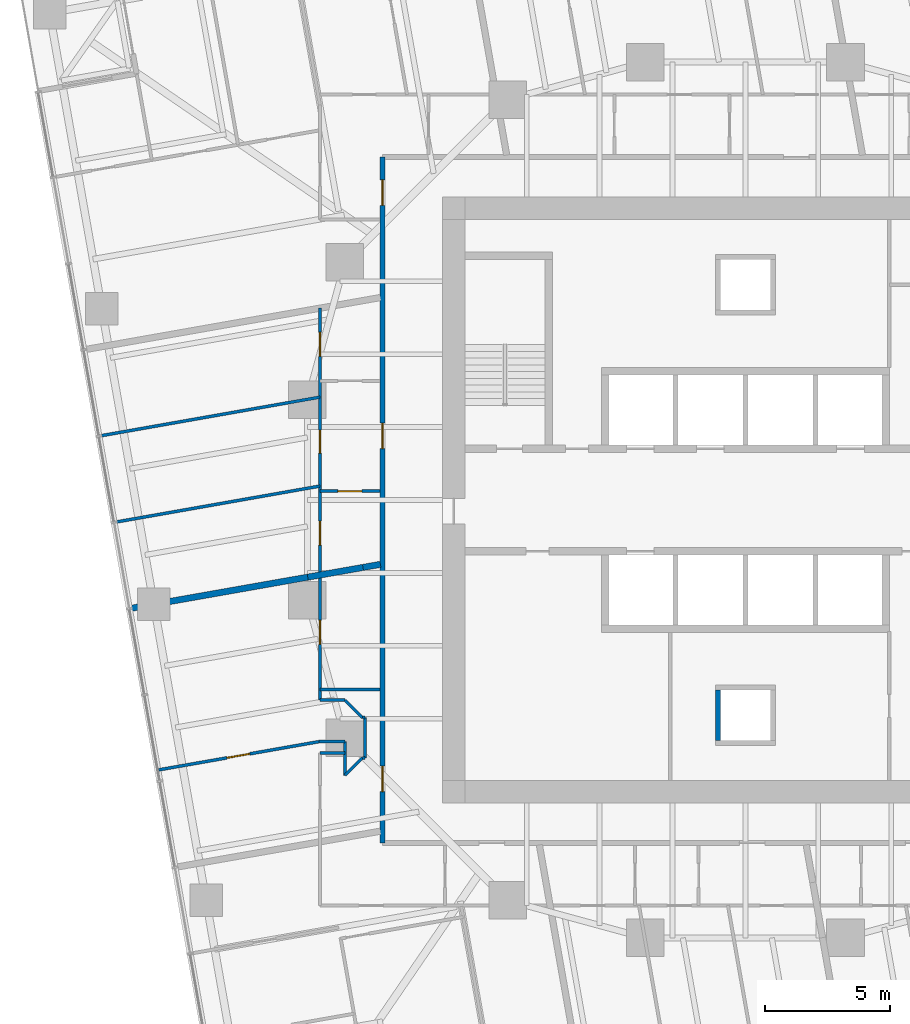
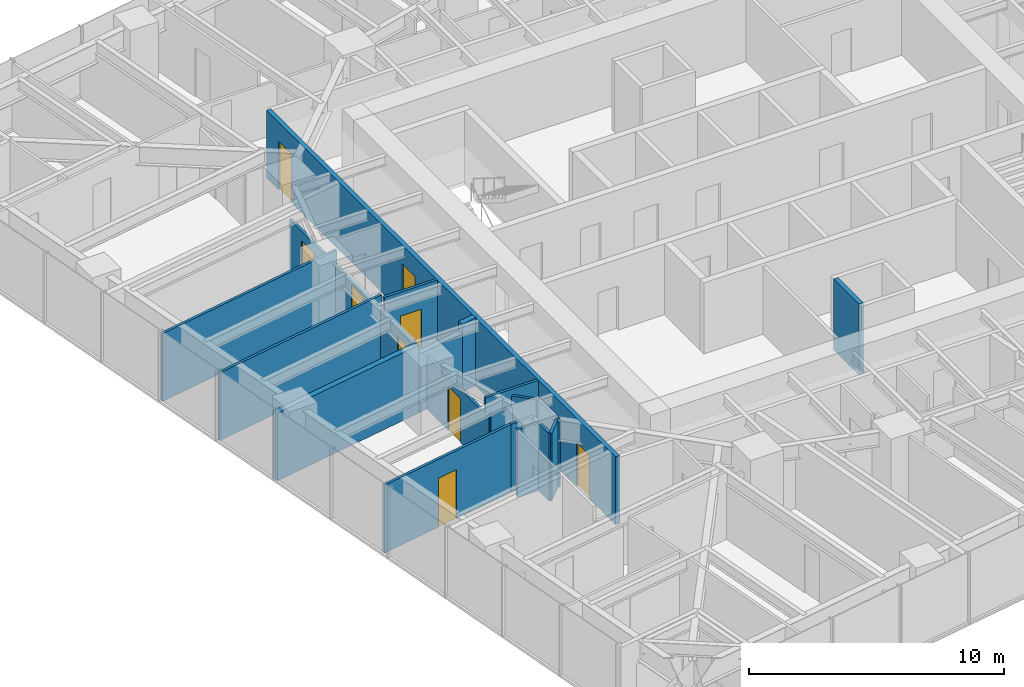
# One storey, part 9 of 14: 20 walls, 9 doors, 9 openings.
"""IFC4 building model written with IfcOpenShell, lengths in metres."""

from ifc_helpers import new_model, si_unit, direction, frame, frame_2d, origin, place, context, subcontext, project, spatial, rectangle, extrude, material, layer, layer_set, type_object, element, fill, save


model = new_model("IFC4")

# Units and contexts
model_context = context("Model", 3, precision=1e-05, world=origin(), true_north=direction((0.0, 1.0)))
body_context = subcontext(model_context, "Body", "Model", "MODEL_VIEW")
ifc_project = project(units=[si_unit("LENGTHUNIT", "METRE"), si_unit("AREAUNIT", "SQUARE_METRE"), si_unit("VOLUMEUNIT", "CUBIC_METRE"), si_unit("PLANEANGLEUNIT", "RADIAN"), si_unit("MASSUNIT", "GRAM", prefix="KILO")], contexts=[model_context])

# Site, building, storey
site_placement = place(None, origin())
site = spatial("IfcSite", under=ifc_project, at=site_placement, CompositionType="ELEMENT")
building_placement = place(site_placement, origin())
building = spatial("IfcBuilding", under=site, at=building_placement, Name="Torsade Residences", CompositionType="ELEMENT")
storey_placement = place(building_placement, frame((0.0, 0.0, 96.39990234375)))
storey = spatial("IfcBuildingStorey", under=building, at=storey_placement, Name="L26", CompositionType="ELEMENT", Elevation=96.39990234375)

# Wall, openings, doors
ifc_material_1 = material(Name="Plasterboard on steel stud", Category="steel")
ifc_layer_1 = layer(ifc_material_1, 0.199951171875)
ifc_layer_set_1 = layer_set([ifc_layer_1], Name="Plasterboard on steel stud")
wall_type_1 = type_object("IfcWallType", Name="CORRIDOR WALL 200", PredefinedType="PARTITIONING", material=ifc_layer_set_1)
wall_1_placement = place(storey_placement, frame((25.5, 43.699951171875, 0.0), z_axis=(0.0, 0.0, 1.0), x_axis=(0.0, -1.0, 0.0)))
wall_1 = element("IfcWall", 1, at=wall_1_placement, inside=storey, type_object=wall_type_1, Name="Corridor wall L26", PredefinedType="PARTITIONING", context=body_context, shape_type="SweptSolid", body=[
    extrude(rectangle(XDim=27.39990234375, YDim=0.199951171875, at=frame_2d((13.699951171875, 0.0))), origin(), (0.0, 0.0, 1.0), 3.25),
])
opening_1_placement = place(wall_1_placement, frame((24.332763671875, 0.0, 0.0)))
opening_1 = element("IfcOpeningElement", 2, at=opening_1_placement, cuts=wall_1, Name="Opening D01L", PredefinedType="OPENING", context=body_context, shape_type="SweptSolid", body=[
    extrude(rectangle(XDim=1.02001953125, YDim=2.10009765625, at=frame_2d((0.510009765625, 1.050048828125))), frame((0.0, 0.10986328125, 0.0), z_axis=(0.0, -1.0, 0.0), x_axis=(1.0, 0.0, 0.0)), (0.0, 0.0, 1.0), 0.219970703125),
])
opening_2_placement = place(wall_1_placement, frame((10.63134765625, 0.0, 0.0)))
opening_2 = element("IfcOpeningElement", 3, at=opening_2_placement, cuts=wall_1, Name="Opening D01", PredefinedType="OPENING", context=body_context, shape_type="SweptSolid", body=[
    extrude(rectangle(XDim=1.02001953125, YDim=2.340087890625, at=frame_2d((0.510009765625, 1.169921875))), frame((0.0, 0.10986328125, 0.0), z_axis=(0.0, -1.0, 0.0), x_axis=(1.0, 0.0, 0.0)), (0.0, 0.0, 1.0), 0.219970703125),
])
opening_3_placement = place(wall_1_placement, frame((0.9111328125, 0.0, 0.0)))
opening_3 = element("IfcOpeningElement", 4, at=opening_3_placement, cuts=wall_1, Name="Opening D01", PredefinedType="OPENING", context=body_context, shape_type="SweptSolid", body=[
    extrude(rectangle(XDim=1.02001953125, YDim=2.340087890625, at=frame_2d((0.510009765625, 1.169921875))), frame((0.0, 0.10986328125, 0.0), z_axis=(0.0, -1.0, 0.0), x_axis=(1.0, 0.0, 0.0)), (0.0, 0.0, 1.0), 0.219970703125),
])
ifc_material_2 = material(Name="Solid-core timber fire door", Category="wood")
door_type_1 = type_object("IfcDoorType", Name="APARTMENT ENTRY DOOR 1020x2100", OperationType="NOTDEFINED", PredefinedType="DOOR", material=ifc_material_2)
door_1_placement = place(opening_1_placement, origin())
door_1 = element("IfcDoor", 5, at=door_1_placement, inside=storey, type_object=door_type_1, Name="Door Residential corridor to Kitchen and dining", OperationType="SINGLE_SWING_RIGHT", OverallHeight=2.10009765625, OverallWidth=1.02001953125, PredefinedType="DOOR", context=body_context, shape_type="SweptSolid", body=[
    extrude(rectangle(XDim=1.02001953125, YDim=2.10009765625, at=frame_2d((0.510009765625, 1.050048828125))), frame((0.0, 0.02490234375, 0.0), z_axis=(0.0, -1.0, 0.0), x_axis=(1.0, 0.0, 0.0)), (0.0, 0.0, 1.0), 0.050048828125),
])
fill(opening_1, door_1)
ifc_material_3 = material(Name="Solid-core timber fire door", Category="wood")
door_type_2 = type_object("IfcDoorType", Name="APARTMENT ENTRY DOOR 1020x2340", OperationType="NOTDEFINED", PredefinedType="DOOR", material=ifc_material_3)
door_2_placement = place(opening_2_placement, origin())
door_2 = element("IfcDoor", 6, at=door_2_placement, inside=storey, type_object=door_type_2, Name="Door Residential corridor to Kitchen and dining", OperationType="SINGLE_SWING_RIGHT", OverallHeight=2.340087890625, OverallWidth=1.02001953125, PredefinedType="DOOR", context=body_context, shape_type="SweptSolid", body=[
    extrude(rectangle(XDim=1.02001953125, YDim=2.340087890625, at=frame_2d((0.510009765625, 1.169921875))), frame((0.0, 0.02490234375, 0.0), z_axis=(0.0, -1.0, 0.0), x_axis=(1.0, 0.0, 0.0)), (0.0, 0.0, 1.0), 0.050048828125),
])
fill(opening_2, door_2)
door_3_placement = place(opening_3_placement, origin())
door_3 = element("IfcDoor", 7, at=door_3_placement, inside=storey, type_object=door_type_2, Name="Door Residential corridor to Kitchen and dining", OperationType="SINGLE_SWING_LEFT", OverallHeight=2.340087890625, OverallWidth=1.02001953125, PredefinedType="DOOR", context=body_context, shape_type="SweptSolid", body=[
    extrude(rectangle(XDim=1.02001953125, YDim=2.340087890625, at=frame_2d((0.510009765625, 1.169921875))), frame((0.0, 0.02490234375, 0.0), z_axis=(0.0, -1.0, 0.0), x_axis=(1.0, 0.0, 0.0)), (0.0, 0.0, 1.0), 0.050048828125),
])
fill(opening_3, door_3)

# Walls
ifc_material_4 = material(Name="Plasterboard on steel stud", Category="steel")
ifc_layer_2 = layer(ifc_material_4, 0.1201171875)
ifc_layer_set_2 = layer_set([ifc_layer_2], Name="Plasterboard on steel stud")
wall_type_2 = type_object("IfcWallType", Name="PARTITION 120", PredefinedType="PARTITIONING", material=ifc_layer_set_2)
wall_2_placement = place(storey_placement, frame((23.0, 22.41943359375, 0.0), z_axis=(0.0, 0.0, 1.0), x_axis=(1.0, 0.0, 0.0)))
element("IfcWall", 8, at=wall_2_placement, inside=storey, type_object=wall_type_2, Name="Partition L26", PredefinedType="PARTITIONING", context=body_context, shape_type="SweptSolid", body=[
    extrude(rectangle(XDim=2.39990234375, YDim=0.1201171875, at=frame_2d((1.199951171875, 0.0))), origin(), (0.0, 0.0, 1.0), 3.25),
])
wall_3_placement = place(storey_placement, frame((24.0, 20.344482421875, 0.0), z_axis=(0.0, 0.0, 1.0), x_axis=(0.0, -1.0, 0.0)))
element("IfcWall", 9, at=wall_3_placement, inside=storey, type_object=wall_type_2, Name="Partition L26", PredefinedType="PARTITIONING", context=body_context, shape_type="SweptSolid", body=[
    extrude(rectangle(XDim=1.344482421875, YDim=0.1201171875, at=frame_2d((0.67236328125, 0.0))), origin(), (0.0, 0.0, 1.0), 3.25),
])
wall_4_placement = place(storey_placement, frame((24.0, 19.0, 0.0), z_axis=(0.0, 0.0, 1.0), x_axis=(0.707106781187, 0.707106781187, 0.0)))
element("IfcWall", 10, at=wall_4_placement, inside=storey, type_object=wall_type_2, Name="Partition L26", PredefinedType="PARTITIONING", context=body_context, shape_type="SweptSolid", body=[
    extrude(rectangle(XDim=0.989990234375, YDim=0.1201171875, at=frame_2d((0.4951171875, 0.0))), origin(), (0.0, 0.0, 1.0), 3.25),
])
wall_5_placement = place(storey_placement, frame((24.800048828125, 19.699951171875, 0.0), z_axis=(0.0, 0.0, 1.0), x_axis=(0.0, 1.0, 0.0)))
element("IfcWall", 11, at=wall_5_placement, inside=storey, type_object=wall_type_2, Name="Partition L26", PredefinedType="PARTITIONING", context=body_context, shape_type="SweptSolid", body=[
    extrude(rectangle(XDim=1.60009765625, YDim=0.1201171875, at=frame_2d((0.800048828125, 0.0))), origin(), (0.0, 0.0, 1.0), 3.25),
])
wall_6_placement = place(storey_placement, frame((24.699951171875, 21.300048828125, 0.0), z_axis=(0.0, 0.0, 1.0), x_axis=(-0.707106781187, 0.707106781187, 0.0)))
element("IfcWall", 12, at=wall_6_placement, inside=storey, type_object=wall_type_2, Name="Partition L26", PredefinedType="PARTITIONING", context=body_context, shape_type="SweptSolid", body=[
    extrude(rectangle(XDim=0.989990234375, YDim=0.1201171875, at=frame_2d((0.4951171875, 0.0))), origin(), (0.0, 0.0, 1.0), 3.25),
])
wall_7_placement = place(storey_placement, frame((24.0, 22.0, 0.0), z_axis=(0.0, 0.0, 1.0), x_axis=(-1.0, 0.0, 0.0)))
element("IfcWall", 13, at=wall_7_placement, inside=storey, type_object=wall_type_2, Name="Partition L26", PredefinedType="PARTITIONING", context=body_context, shape_type="SweptSolid", body=[
    extrude(rectangle(XDim=1.0, YDim=0.1201171875, at=frame_2d((0.5, 0.0))), origin(), (0.0, 0.0, 1.0), 2.72216796875),
])

# Wall, openings, doors
wall_8_placement = place(storey_placement, frame((23.0, 22.0, 0.0), z_axis=(0.0, 0.0, 1.0), x_axis=(0.0, 1.0, 0.0)))
wall_8 = element("IfcWall", 14, at=wall_8_placement, inside=storey, type_object=wall_type_2, Name="Partition L26", PredefinedType="PARTITIONING", context=body_context, shape_type="SweptSolid", body=[
    extrude(rectangle(XDim=15.664306640625, YDim=0.1201171875, at=frame_2d((7.83203125, 0.0))), origin(), (0.0, 0.0, 1.0), 2.550048828125),
])
opening_4_placement = place(wall_8_placement, frame((9.87353515625, 0.0, 0.0)))
opening_4 = element("IfcOpeningElement", 15, at=opening_4_placement, cuts=wall_8, Name="Opening D02", PredefinedType="OPENING", context=body_context, shape_type="SweptSolid", body=[
    extrude(rectangle(XDim=0.919921875, YDim=2.340087890625, at=frame_2d((0.4599609375, 1.169921875))), frame((0.0, 0.070068359375, 0.0), z_axis=(0.0, -1.0, 0.0), x_axis=(1.0, 0.0, 0.0)), (0.0, 0.0, 1.0), 0.14013671875),
])
opening_5_placement = place(wall_8_placement, frame((13.734375, 0.0, 0.0)))
opening_5 = element("IfcOpeningElement", 16, at=opening_5_placement, cuts=wall_8, Name="Opening D05", PredefinedType="OPENING", context=body_context, shape_type="SweptSolid", body=[
    extrude(rectangle(XDim=0.9599609375, YDim=2.10009765625, at=frame_2d((0.47998046875, 1.050048828125))), frame((0.0, 0.070068359375, 0.0), z_axis=(0.0, -1.0, 0.0), x_axis=(1.0, 0.0, 0.0)), (0.0, 0.0, 1.0), 0.14013671875),
])
opening_6_placement = place(wall_8_placement, frame((6.19775390625, 0.0, 0.0)))
opening_6 = element("IfcOpeningElement", 17, at=opening_6_placement, cuts=wall_8, Name="Opening D05", PredefinedType="OPENING", context=body_context, shape_type="SweptSolid", body=[
    extrude(rectangle(XDim=0.9599609375, YDim=2.10009765625, at=frame_2d((0.47998046875, 1.050048828125))), frame((0.0, 0.070068359375, 0.0), z_axis=(0.0, -1.0, 0.0), x_axis=(1.0, 0.0, 0.0)), (0.0, 0.0, 1.0), 0.14013671875),
])
opening_7_placement = place(wall_8_placement, frame((2.23095703125, 0.0, 0.0)))
opening_7 = element("IfcOpeningElement", 18, at=opening_7_placement, cuts=wall_8, Name="Opening D05", PredefinedType="OPENING", context=body_context, shape_type="SweptSolid", body=[
    extrude(rectangle(XDim=0.9599609375, YDim=2.10009765625, at=frame_2d((0.47998046875, 1.050048828125))), frame((0.0, 0.070068359375, 0.0), z_axis=(0.0, -1.0, 0.0), x_axis=(1.0, 0.0, 0.0)), (0.0, 0.0, 1.0), 0.14013671875),
])
ifc_material_5 = material(Name="Hollow-core timber door in a steel cavity frame", Category="steel")
door_type_3 = type_object("IfcDoorType", Name="BATHROOM CAVITY SLIDING DOOR 960", OperationType="SLIDING_TO_LEFT", PredefinedType="DOOR", material=ifc_material_5)
door_4_placement = place(opening_5_placement, origin())
door_4 = element("IfcDoor", 19, at=door_4_placement, inside=storey, type_object=door_type_3, Name="Door Bathroom to Living room", OperationType="SLIDING_TO_LEFT", OverallHeight=2.10009765625, OverallWidth=0.9599609375, PredefinedType="DOOR", context=body_context, shape_type="SweptSolid", body=[
    extrude(rectangle(XDim=0.9599609375, YDim=2.10009765625, at=frame_2d((0.47998046875, 1.050048828125))), frame((0.0, 0.02490234375, 0.0), z_axis=(0.0, -1.0, 0.0), x_axis=(1.0, 0.0, 0.0)), (0.0, 0.0, 1.0), 0.050048828125),
])
fill(opening_5, door_4)
door_5_placement = place(opening_6_placement, origin())
door_5 = element("IfcDoor", 20, at=door_5_placement, inside=storey, type_object=door_type_3, Name="Door Ensuite to Bedroom 2", OperationType="SLIDING_TO_LEFT", OverallHeight=2.10009765625, OverallWidth=0.9599609375, PredefinedType="DOOR", context=body_context, shape_type="SweptSolid", body=[
    extrude(rectangle(XDim=0.9599609375, YDim=2.10009765625, at=frame_2d((0.47998046875, 1.050048828125))), frame((0.0, 0.02490234375, 0.0), z_axis=(0.0, -1.0, 0.0), x_axis=(1.0, 0.0, 0.0)), (0.0, 0.0, 1.0), 0.050048828125),
])
fill(opening_6, door_5)
door_6_placement = place(opening_7_placement, origin())
door_6 = element("IfcDoor", 21, at=door_6_placement, inside=storey, type_object=door_type_3, Name="Door Living room to Bathroom", OperationType="SLIDING_TO_LEFT", OverallHeight=2.10009765625, OverallWidth=0.9599609375, PredefinedType="DOOR", context=body_context, shape_type="SweptSolid", body=[
    extrude(rectangle(XDim=0.9599609375, YDim=2.10009765625, at=frame_2d((0.47998046875, 1.050048828125))), frame((0.0, 0.02490234375, 0.0), z_axis=(0.0, -1.0, 0.0), x_axis=(1.0, 0.0, 0.0)), (0.0, 0.0, 1.0), 0.050048828125),
])
fill(opening_7, door_6)
ifc_material_6 = material(Name="Hollow-core timber door", Category="wood")
door_type_4 = type_object("IfcDoorType", Name="INTERNAL DOOR 920x2340", OperationType="NOTDEFINED", PredefinedType="DOOR", material=ifc_material_6)
door_7_placement = place(opening_4_placement, origin())
door_7 = element("IfcDoor", 22, at=door_7_placement, inside=storey, type_object=door_type_4, Name="Door Kitchen and dining to Bedroom 1", OperationType="SINGLE_SWING_RIGHT", OverallHeight=2.340087890625, OverallWidth=0.919921875, PredefinedType="DOOR", context=body_context, shape_type="SweptSolid", body=[
    extrude(rectangle(XDim=0.919921875, YDim=2.340087890625, at=frame_2d((0.4599609375, 1.169921875))), frame((0.0, 0.02490234375, 0.0), z_axis=(0.0, -1.0, 0.0), x_axis=(1.0, 0.0, 0.0)), (0.0, 0.0, 1.0), 0.050048828125),
])
fill(opening_4, door_7)

# Walls
wall_9_placement = place(storey_placement, frame((23.0, 19.894287109375, 0.0), z_axis=(0.0, 0.0, 1.0), x_axis=(1.0, 0.0, 0.0)))
element("IfcWall", 23, at=wall_9_placement, inside=storey, type_object=wall_type_2, Name="Partition L26", PredefinedType="PARTITIONING", context=body_context, shape_type="SweptSolid", body=[
    extrude(rectangle(XDim=1.0, YDim=0.1201171875, at=frame_2d((0.5, 0.0))), origin(), (0.0, 0.0, 1.0), 3.25),
])
wall_10_placement = place(storey_placement, frame((24.0, 20.344482421875, 0.0), z_axis=(0.0, 0.0, 1.0), x_axis=(-1.0, 0.0, 0.0)))
element("IfcWall", 24, at=wall_10_placement, inside=storey, type_object=wall_type_2, Name="Partition L26", PredefinedType="PARTITIONING", context=body_context, shape_type="SweptSolid", body=[
    extrude(rectangle(XDim=1.039306640625, YDim=0.1201171875, at=frame_2d((0.51953125, 0.0))), origin(), (0.0, 0.0, 1.0), 3.25),
])

# Wall, opening, door
wall_11_placement = place(storey_placement, frame((22.960693359375, 20.344482421875, 0.0), z_axis=(0.0, 0.0, 1.0), x_axis=(-0.984809249117, -0.173639692622, 0.0)))
wall_11 = element("IfcWall", 25, at=wall_11_placement, inside=storey, type_object=wall_type_2, Name="Partition L26", PredefinedType="PARTITIONING", context=body_context, shape_type="SweptSolid", body=[
    extrude(rectangle(XDim=6.5029296875, YDim=0.1201171875, at=frame_2d((3.25146484375, 0.0))), origin(), (0.0, 0.0, 1.0), 3.25),
])
opening_8_placement = place(wall_11_placement, frame((2.811279296875, 0.0, 0.0)))
opening_8 = element("IfcOpeningElement", 26, at=opening_8_placement, cuts=wall_11, Name="Opening D02", PredefinedType="OPENING", context=body_context, shape_type="SweptSolid", body=[
    extrude(rectangle(XDim=0.919921875, YDim=2.340087890625, at=frame_2d((0.4599609375, 1.169921875))), frame((0.0, 0.070068359375, 0.0), z_axis=(0.0, -1.0, 0.0), x_axis=(1.0, 0.0, 0.0)), (0.0, 0.0, 1.0), 0.14013671875),
])
door_8_placement = place(opening_8_placement, origin())
door_8 = element("IfcDoor", 27, at=door_8_placement, inside=storey, type_object=door_type_4, Name="Door Bedroom 1 to Living room", OperationType="SINGLE_SWING_LEFT", OverallHeight=2.340087890625, OverallWidth=0.919921875, PredefinedType="DOOR", context=body_context, shape_type="SweptSolid", body=[
    extrude(rectangle(XDim=0.919921875, YDim=2.340087890625, at=frame_2d((0.4599609375, 1.169921875))), frame((0.0, 0.02490234375, 0.0), z_axis=(0.0, -1.0, 0.0), x_axis=(1.0, 0.0, 0.0)), (0.0, 0.0, 1.0), 0.050048828125),
])
fill(opening_8, door_8)

wall_12_placement = place(storey_placement, frame((25.39990234375, 30.35302734375, 0.0), z_axis=(0.0, 0.0, 1.0), x_axis=(-1.0, 0.0, 0.0)))
wall_12 = element("IfcWall", 28, at=wall_12_placement, inside=storey, type_object=wall_type_2, Name="Partition L26", PredefinedType="PARTITIONING", context=body_context, shape_type="SweptSolid", body=[
    extrude(rectangle(XDim=2.39990234375, YDim=0.1201171875, at=frame_2d((1.199951171875, 0.0))), origin(), (0.0, 0.0, 1.0), 3.25),
])
opening_9_placement = place(wall_12_placement, frame((0.719970703125, 0.0, 0.0)))
opening_9 = element("IfcOpeningElement", 29, at=opening_9_placement, cuts=wall_12, Name="Opening D05", PredefinedType="OPENING", context=body_context, shape_type="SweptSolid", body=[
    extrude(rectangle(XDim=0.9599609375, YDim=2.10009765625, at=frame_2d((0.47998046875, 1.050048828125))), frame((0.0, 0.070068359375, 0.0), z_axis=(0.0, -1.0, 0.0), x_axis=(1.0, 0.0, 0.0)), (0.0, 0.0, 1.0), 0.14013671875),
])
door_9_placement = place(opening_9_placement, origin())
door_9 = element("IfcDoor", 30, at=door_9_placement, inside=storey, type_object=door_type_3, Name="Door Kitchen and dining to Ensuite", OperationType="SLIDING_TO_LEFT", OverallHeight=2.10009765625, OverallWidth=0.9599609375, PredefinedType="DOOR", context=body_context, shape_type="SweptSolid", body=[
    extrude(rectangle(XDim=0.9599609375, YDim=2.10009765625, at=frame_2d((0.47998046875, 1.050048828125))), frame((0.0, 0.02490234375, 0.0), z_axis=(0.0, -1.0, 0.0), x_axis=(1.0, 0.0, 0.0)), (0.0, 0.0, 1.0), 0.050048828125),
])
fill(opening_9, door_9)

# Walls
wall_13_placement = place(storey_placement, frame((23.0, 34.1103515625, 0.0), z_axis=(0.0, 0.0, 1.0), x_axis=(-0.984808038675, -0.173646557583, 0.0)))
element("IfcWall", 31, at=wall_13_placement, inside=storey, type_object=wall_type_2, Name="Partition L26", PredefinedType="PARTITIONING", context=body_context, shape_type="SweptSolid", body=[
    extrude(rectangle(XDim=8.93212890625, YDim=0.1201171875, at=frame_2d((4.466064453125, 0.0))), origin(), (0.0, 0.0, 1.0), 3.25),
])
wall_14_placement = place(storey_placement, frame((23.0, 30.556396484375, 0.0), z_axis=(0.0, 0.0, 1.0), x_axis=(-0.984807787824, -0.173647980238, 0.0)))
element("IfcWall", 32, at=wall_14_placement, inside=storey, type_object=wall_type_2, Name="Partition L26", PredefinedType="PARTITIONING", context=body_context, shape_type="SweptSolid", body=[
    extrude(rectangle(XDim=8.314697265625, YDim=0.1201171875, at=frame_2d((4.1572265625, 0.0))), origin(), (0.0, 0.0, 1.0), 3.25),
])
for number, where, z_axis, x_axis, name in (
    (33, (24.800048828125, 19.699951171875, 0.0), (0.0, 0.0, 1.0), (-1.0, 0.0, 0.0), "Partition L26"),
    (34, (24.800048828125, 21.300048828125, 0.0), (0.0, 0.0, 1.0), (-1.0, 0.0, 0.0), "Partition L26"),
):
    element("IfcWall", number, at=place(storey_placement, frame(where, z_axis=z_axis, x_axis=x_axis)), inside=storey, type_object=wall_type_2, Name=name, PredefinedType="PARTITIONING", context=body_context, shape_type="SweptSolid", body=[
        extrude(rectangle(XDim=0.10009765625, YDim=0.1201171875, at=frame_2d((0.050048828125, 0.0))), origin(), (0.0, 0.0, 1.0), 3.25),
    ])
ifc_material_7 = material(Name="Masonry-lined stud party wall", Category="masonry")
ifc_layer_3 = layer(ifc_material_7, 0.25)
ifc_layer_set_3 = layer_set([ifc_layer_3], Name="Masonry-lined stud party wall")
wall_type_3 = type_object("IfcWallType", Name="PARTY WALL 250", PredefinedType="PARTITIONING", material=ifc_layer_set_3)
wall_15_placement = place(storey_placement, frame((15.3798828125, 25.65869140625, 0.0), z_axis=(0.0, 0.0, 1.0), x_axis=(0.984802553948, 0.173677660443, 0.0)))
element("IfcWall", 35, at=wall_15_placement, inside=storey, type_object=wall_type_3, Name="Party wall L26", PredefinedType="PARTITIONING", context=body_context, shape_type="SweptSolid", body=[
    extrude(rectangle(XDim=7.24365234375, YDim=0.25, at=frame_2d((3.621826171875, 0.0))), origin(), (0.0, 0.0, 1.0), 3.25),
])
wall_16_placement = place(storey_placement, frame((22.513427734375, 26.916748046875, 0.0), z_axis=(0.0, 0.0, 1.0), x_axis=(0.984809882944, 0.17363609779, 0.0)))
element("IfcWall", 36, at=wall_16_placement, inside=storey, type_object=wall_type_3, Name="Party wall L26", PredefinedType="PARTITIONING", context=body_context, shape_type="SweptSolid", body=[
    extrude(rectangle(XDim=2.23974609375, YDim=0.25, at=frame_2d((1.119873046875, 0.0))), origin(), (0.0, 0.0, 1.0), 2.796142578125),
])
wall_17_placement = place(storey_placement, frame((24.71923828125, 27.3056640625, 0.0), z_axis=(0.0, 0.0, 1.0), x_axis=(0.984835495461, 0.173490768861, 0.0)))
element("IfcWall", 37, at=wall_17_placement, inside=storey, type_object=wall_type_3, Name="Party wall L26", PredefinedType="PARTITIONING", context=body_context, shape_type="SweptSolid", body=[
    extrude(rectangle(XDim=0.709228515625, YDim=0.25, at=frame_2d((0.3544921875, 0.0))), origin(), (0.0, 0.0, 1.0), 3.25),
])
ifc_material_8 = material(Name="Reinforced blockwork", Category="masonry")
ifc_layer_4 = layer(ifc_material_8, 0.199951171875)
ifc_layer_set_4 = layer_set([ifc_layer_4], Name="Reinforced blockwork")
wall_type_4 = type_object("IfcWallType", Name="RISER SHAFT WALL 200", PredefinedType="SOLIDWALL", material=ifc_layer_set_4)
wall_18_placement = place(storey_placement, frame((38.89990234375, 22.39990234375, 0.0), z_axis=(0.0, 0.0, 1.0), x_axis=(0.0, -1.0, 0.0)))
element("IfcWall", 38, at=wall_18_placement, inside=storey, type_object=wall_type_4, Name="Core wall RS2a L26", PredefinedType="SOLIDWALL", context=body_context, shape_type="SweptSolid", body=[
    extrude(rectangle(XDim=2.0, YDim=0.199951171875, at=frame_2d((1.0, 0.0))), origin(), (0.0, 0.0, 1.0), 3.400146484375),
])

save(model, "model.ifc")
